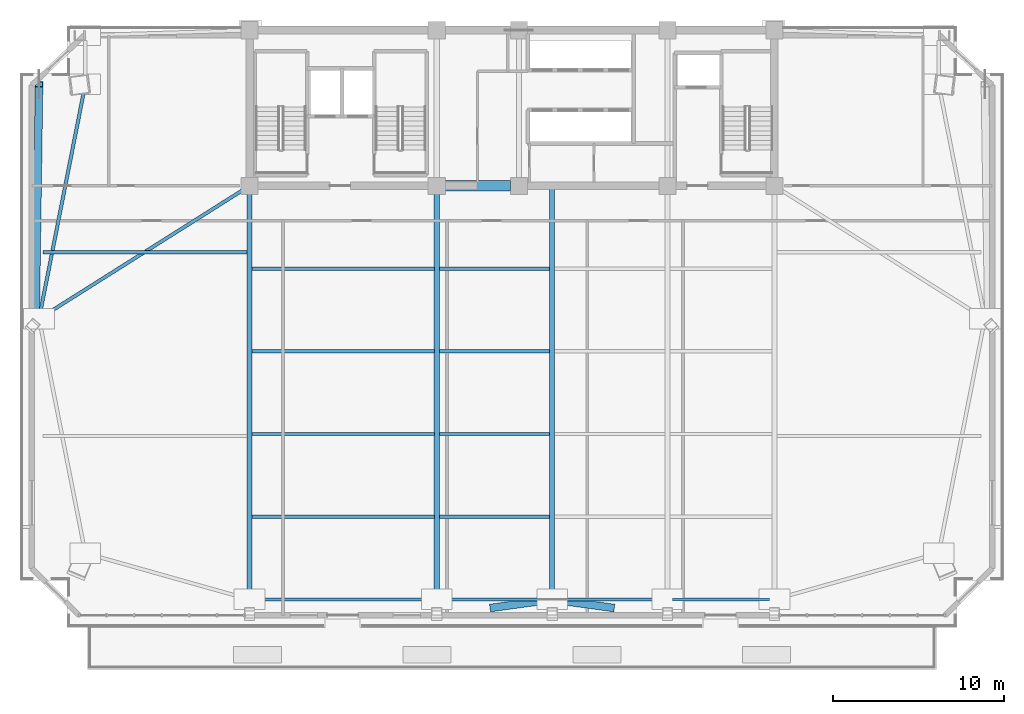
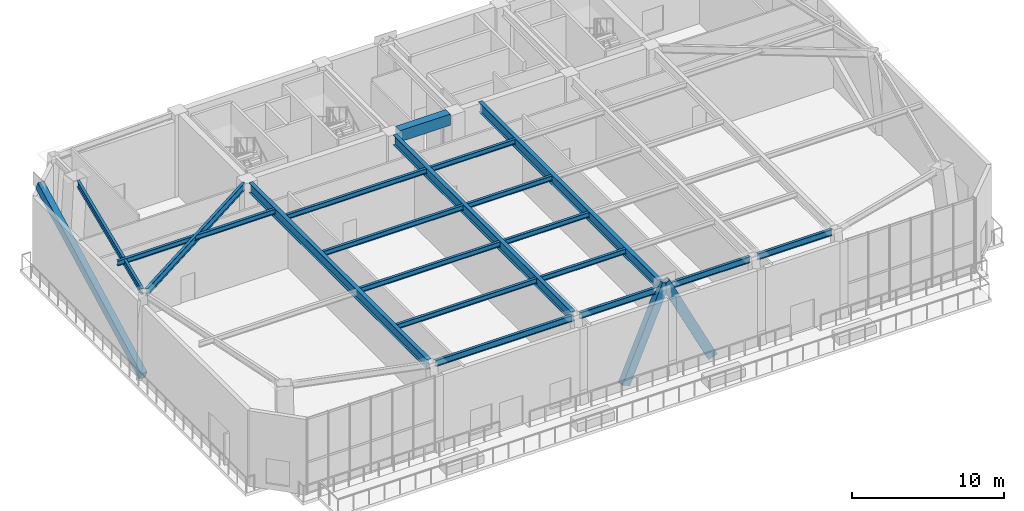
# One storey, part 3 of 16: 19 beams, 3 members.
"""IFC4 building model written with IfcOpenShell, lengths in metres."""

import ifcopenshell
import ifcopenshell.guid

model = None  # the IFC model being written
_history = None  # IfcOwnerHistory: only IFC2X3 demands one
_inside = {}  # id of a spatial element -> (the spatial element, [elements in it])
_under = {}  # id of a project, library or spatial element -> (it, [spatial elements below it])
_declared = {}  # id of a project -> (the project, [libraries it declares])
_typed = {}  # id of a type object -> (the type object, [elements of that type])
_made_of = {}  # id of a material, layer set ... -> (it, [elements and type objects made of it])


def new_model(schema):
    """Start an empty IFC model of exactly this schema.

    Asked for "IFC4X3", IfcOpenShell would pick the latest addendum, in which some entities
    have other attributes; the version numbers below select the first issue.
    IFC2X3 requires an IfcOwnerHistory on every rooted entity: one is made here for all.
    """
    global model, _history
    if schema == "IFC4X3":
        model = ifcopenshell.file(schema_version=(4, 3, 0, 0))
    else:
        model = ifcopenshell.file(schema=schema)
    _inside.clear()
    _under.clear()
    _declared.clear()
    _typed.clear()
    _made_of.clear()
    _history = None
    if model.schema == "IFC2X3":
        org = make("IfcOrganization", Name="unknown")
        user = make(
            "IfcPersonAndOrganization",
            ThePerson=make("IfcPerson", FamilyName="unknown"),
            TheOrganization=org,
        )
        app = make(
            "IfcApplication",
            ApplicationDeveloper=org,
            Version="unknown",
            ApplicationFullName="unknown",
            ApplicationIdentifier="unknown",
        )
        _history = make(
            "IfcOwnerHistory",
            OwningUser=user,
            OwningApplication=app,
            ChangeAction="ADDED",
            CreationDate=0,
        )
    return model


def make(cls, **values):
    """One entity of the class cls with the attributes given. An attribute that is None is left unset."""
    return model.create_entity(
        cls, **{name: value for name, value in values.items() if value is not None}
    )


def rooted(cls, **values):
    """An entity with a GlobalId (a new one), such as an element, a storey or a relation."""
    return make(cls, GlobalId=ifcopenshell.guid.new(), OwnerHistory=_history, **values)


def si_unit(unit_type, name, prefix=None):
    """IfcSIUnit, for example si_unit("LENGTHUNIT", "METRE", prefix="MILLI")."""
    return make("IfcSIUnit", UnitType=unit_type, Prefix=prefix, Name=name)


def assignment(units):
    """IfcUnitAssignment: the units of a project."""
    return None if units is None else make("IfcUnitAssignment", Units=units)


def point(xyz):
    """IfcCartesianPoint."""
    return None if xyz is None else make("IfcCartesianPoint", Coordinates=xyz)


def direction(xyz):
    """IfcDirection."""
    return None if xyz is None else make("IfcDirection", DirectionRatios=xyz)


def frame(location, z_axis=None, x_axis=None):
    """IfcAxis2Placement3D, a coordinate frame: its origin and axes. An axis left out is left unset."""
    return make(
        "IfcAxis2Placement3D",
        Location=point(location),
        Axis=direction(z_axis),
        RefDirection=direction(x_axis),
    )


def frame_2d(location, x_axis=None):
    """IfcAxis2Placement2D, a coordinate frame in the plane: its origin and x axis."""
    return make(
        "IfcAxis2Placement2D", Location=point(location), RefDirection=direction(x_axis)
    )


def origin():
    """The frame at (0, 0, 0) with its axes left unset."""
    return frame((0.0, 0.0, 0.0))


def origin_2d():
    """The frame at (0, 0) in the plane with its x axis left unset."""
    return frame_2d((0.0, 0.0))


def place(relative_to, where):
    """IfcLocalPlacement: puts the frame where relative to a parent placement (None: the world)."""
    return make(
        "IfcLocalPlacement", PlacementRelTo=relative_to, RelativePlacement=where
    )


def context(
    kind, dimensions, precision=None, world=None, true_north=None, identifier=None
):
    """IfcGeometricRepresentationContext, for example the 3D "Model" context."""
    return make(
        "IfcGeometricRepresentationContext",
        ContextIdentifier=identifier,
        ContextType=kind,
        CoordinateSpaceDimension=dimensions,
        Precision=precision,
        WorldCoordinateSystem=world,
        TrueNorth=true_north,
    )


def subcontext(parent, identifier, kind, view, scale=None):
    """IfcGeometricRepresentationSubContext, for example "Body" below "Model"."""
    return make(
        "IfcGeometricRepresentationSubContext",
        ContextIdentifier=identifier,
        ContextType=kind,
        ParentContext=parent,
        TargetScale=scale,
        TargetView=view,
    )


def project(units=None, contexts=None):
    """IfcProject with its units and contexts."""
    return rooted(
        "IfcProject",
        Name="project",
        RepresentationContexts=contexts,
        UnitsInContext=assignment(units),
    )


def spatial(cls, under=None, at=None, **own):
    """A site, building, storey or space (cls), placed at a placement, below another one or the project."""
    s = rooted(cls, ObjectPlacement=at, **own)
    if under is not None:
        _under.setdefault(under.id(), (under, []))[1].append(s)
    return s


def profile(cls, at=None, kind="AREA", **sizes):
    """A parametric profile (cls). Its sizes go by their IFC names, for example OverallWidth=200.0."""
    return make(cls, ProfileType=kind, Position=at, **sizes)


def rectangle(**sizes):
    """IfcRectangleProfileDef."""
    return profile("IfcRectangleProfileDef", **sizes)


def hollow_rectangle(**sizes):
    """IfcRectangleHollowProfileDef."""
    return profile("IfcRectangleHollowProfileDef", **sizes)


def i_section(**sizes):
    """IfcIShapeProfileDef."""
    return profile("IfcIShapeProfileDef", **sizes)


def extrude(swept, where, along, depth):
    """IfcExtrudedAreaSolid: the profile swept, set in the frame where, extruded along a direction by depth."""
    return make(
        "IfcExtrudedAreaSolid",
        SweptArea=swept,
        Position=where,
        ExtrudedDirection=direction(along),
        Depth=depth,
    )


def shape(context_of_items, identifier, shape_type, items):
    """IfcShapeRepresentation: the items that make up one representation, for example the "Body"."""
    return make(
        "IfcShapeRepresentation",
        ContextOfItems=context_of_items,
        RepresentationIdentifier=identifier,
        RepresentationType=shape_type,
        Items=items,
    )


def source(mapping_origin, context_of_items, identifier, shape_type, items):
    """IfcRepresentationMap: a shape defined once, which mapped items show again and again."""
    return make(
        "IfcRepresentationMap",
        MappingOrigin=mapping_origin,
        MappedRepresentation=shape(context_of_items, identifier, shape_type, items),
    )


def transform(
    local_origin,
    x_axis=None,
    y_axis=None,
    z_axis=None,
    scale=None,
    scale2=None,
    scale3=None,
    uniform=True,
):
    """IfcCartesianTransformationOperator3D, or its non-uniform kind. x_axis, y_axis, z_axis: its Axis1, 2, 3."""
    if uniform:
        return make(
            "IfcCartesianTransformationOperator3D",
            Axis1=direction(x_axis),
            Axis2=direction(y_axis),
            LocalOrigin=point(local_origin),
            Scale=scale,
            Axis3=direction(z_axis),
        )
    return make(
        "IfcCartesianTransformationOperator3DnonUniform",
        Axis1=direction(x_axis),
        Axis2=direction(y_axis),
        LocalOrigin=point(local_origin),
        Scale=scale,
        Axis3=direction(z_axis),
        Scale2=scale2,
        Scale3=scale3,
    )


def mapped(mapping_source, mapping_target):
    """IfcMappedItem: shows the shape of a source again, moved by a transform."""
    return make(
        "IfcMappedItem", MappingSource=mapping_source, MappingTarget=mapping_target
    )


def material(Name=None, Category=None):
    """IfcMaterial."""
    return make("IfcMaterial", Name=Name, Category=Category)


def material_profile(
    of_material, cross_section, Name=None, Category=None, Priority=None
):
    """IfcMaterialProfile: a cross section and its material."""
    return make(
        "IfcMaterialProfile",
        Name=Name,
        Material=of_material,
        Profile=cross_section,
        Priority=Priority,
        Category=Category,
    )


def profile_set(profiles, Name=None, composite=None):
    """IfcMaterialProfileSet."""
    return make(
        "IfcMaterialProfileSet",
        Name=Name,
        MaterialProfiles=profiles,
        CompositeProfile=composite,
    )


def made_of(thing, what):
    """Note that an element or type object is made of a material, layer set ...; save() writes the relation."""
    if what is not None:
        _made_of.setdefault(what.id(), (what, []))[1].append(thing)
    return thing


def type_object(cls, material=None, **own):
    """A type object (cls), such as IfcWallType, which elements share."""
    return made_of(rooted(cls, **own), material)


def element(
    cls,
    number,
    at=None,
    inside=None,
    cuts=None,
    type_object=None,
    material=None,
    context=None,
    identifier="Body",
    shape_type=None,
    held_by="IfcProductDefinitionShape",
    body=None,
    shapes=None,
    **own,
):
    """One element of the class cls, such as IfcWall. Its Tag is "e" and its number.

    at: its placement. inside: the storey or other place that contains it. cuts: it is an
    opening in that element (IfcRelVoidsElement). A single representation is given by context,
    identifier, shape_type and body (its items); several are given by shapes. held_by: the class
    of the entity that holds the representations. save() writes the other relations.
    """
    e = rooted(cls, Tag="e%d" % number, ObjectPlacement=at, **own)
    if body is not None:
        shapes = [shape(context, identifier, shape_type, body)]
    if shapes is not None:
        e.Representation = make(held_by, Representations=shapes)
    if inside is not None:
        _inside.setdefault(inside.id(), (inside, []))[1].append(e)
    if cuts is not None:
        rooted(
            "IfcRelVoidsElement", RelatingBuildingElement=cuts, RelatedOpeningElement=e
        )
    if type_object is not None:
        _typed.setdefault(type_object.id(), (type_object, []))[1].append(e)
    return made_of(e, material)


def aggregate(whole, parts):
    """IfcRelAggregates: a whole, such as a stair, and the parts it consists of."""
    return rooted("IfcRelAggregates", RelatingObject=whole, RelatedObjects=parts)


def save(model, path):
    """Write the relations noted so far, then the file.

    IfcRelAggregates (storeys below a building ...), IfcRelContainedInSpatialStructure (elements
    in a storey), IfcRelDefinesByType, IfcRelAssociatesMaterial and IfcRelDeclares: one each for
    every whole, place, type object, material and project.
    """
    for whole, parts in _under.values():
        aggregate(whole, parts)
    for where, things in _inside.values():
        rooted(
            "IfcRelContainedInSpatialStructure",
            RelatedElements=things,
            RelatingStructure=where,
        )
    for kind, things in _typed.values():
        rooted("IfcRelDefinesByType", RelatedObjects=things, RelatingType=kind)
    for what, things in _made_of.values():
        rooted("IfcRelAssociatesMaterial", RelatedObjects=things, RelatingMaterial=what)
    for by, libraries in _declared.values():
        rooted("IfcRelDeclares", RelatingContext=by, RelatedDefinitions=libraries)
    model.write(path)


model = new_model("IFC4")

# Units and contexts
model_context = context("Model", 3, precision=1e-05, world=origin(), true_north=direction((0.0, 1.0)))
body_context = subcontext(model_context, "Body", "Model", "MODEL_VIEW")
ifc_project = project(units=[si_unit("LENGTHUNIT", "METRE"), si_unit("AREAUNIT", "SQUARE_METRE"), si_unit("VOLUMEUNIT", "CUBIC_METRE"), si_unit("PLANEANGLEUNIT", "RADIAN"), si_unit("MASSUNIT", "GRAM", prefix="KILO")], contexts=[model_context])

# Site, building, storey
site_placement = place(None, origin())
site = spatial("IfcSite", under=ifc_project, at=site_placement, CompositionType="ELEMENT")
building_placement = place(site_placement, origin())
building = spatial("IfcBuilding", under=site, at=building_placement, Name="Giltprow Tower", CompositionType="ELEMENT")
storey_placement = place(building_placement, frame((0.0, 0.0, 220.199951171875)))
storey = spatial("IfcBuildingStorey", under=building, at=storey_placement, Name="L56", CompositionType="ELEMENT", Elevation=220.199951171875)

# Beams
ifc_material_1 = material(Name="Structural steel Q355B", Category="steel")
ifc_material_profile_1 = material_profile(ifc_material_1, i_section(OverallWidth=0.199951171875, OverallDepth=0.5, WebThickness=0.010009765625, FlangeThickness=0.01611328125, at=origin_2d()), Name="HN 500x200x10x16")
ifc_profile_set_1 = profile_set([ifc_material_profile_1], Name="Structural steel Q355B")
beam_type_1 = type_object("IfcBeamType", Name="BM-SPAN-HN500", PredefinedType="SPANDREL", material=ifc_profile_set_1)
shared_shape_1 = source(origin(), body_context, "Body", "SweptSolid", [
    extrude(i_section(OverallWidth=0.199951171875, OverallDepth=0.5, WebThickness=0.010009765625, FlangeThickness=0.01611328125, at=origin_2d()), origin(), (0.0, 0.0, 1.0), 5.679931640625),
])
beam_1_placement = place(storey_placement, frame((44.5849609375, 13.25, 6.3349609375), z_axis=(1.0, 0.0, 0.0), x_axis=(0.0, 1.0, 0.0)))
element("IfcBeam", 1, at=beam_1_placement, inside=storey, type_object=beam_type_1, Name="L56 Perimeter Spandrel Beam S3-S4", PredefinedType="SPANDREL", context=body_context, shape_type="MappedRepresentation", body=[
    mapped(shared_shape_1, transform((0.0, 0.0, 0.0), x_axis=(1.0, 0.0, 0.0), y_axis=(0.0, 1.0, 0.0), z_axis=(0.0, 0.0, 1.0), scale=1.0)),
])
ifc_material_2 = material(Name="Concrete C50", Category="concrete")
ifc_material_profile_2 = material_profile(ifc_material_2, rectangle(XDim=0.60009765625, YDim=0.89990234375, at=origin_2d()), Name="RC 900x600")
ifc_profile_set_2 = profile_set([ifc_material_profile_2], Name="Concrete C50")
beam_type_2 = type_object("IfcBeamType", Name="BM-CPL-RC900", PredefinedType="LINTEL", material=ifc_profile_set_2)
shared_shape_2 = source(origin(), body_context, "Body", "SweptSolid", [
    extrude(rectangle(XDim=0.60009765625, YDim=0.89990234375, at=origin_2d()), origin(), (0.0, 0.0, 1.0), 3.830078125),
])
beam_2_placement = place(storey_placement, frame((31.284912109375, 37.449951171875, 6.135009765625), z_axis=(1.0, 0.0, 0.0), x_axis=(0.0, 1.0, 0.0)))
element("IfcBeam", 2, at=beam_2_placement, inside=storey, type_object=beam_type_2, Name="L56 Core Coupling Beam CB-1", PredefinedType="LINTEL", context=body_context, shape_type="MappedRepresentation", body=[
    mapped(shared_shape_2, transform((0.0, 0.0, 0.0), x_axis=(1.0, 0.0, 0.0), y_axis=(0.0, 1.0, 0.0), z_axis=(0.0, 0.0, 1.0), scale=1.0)),
])
shared_shape_3 = source(origin(), body_context, "Body", "SweptSolid", [
    extrude(i_section(OverallWidth=0.199951171875, OverallDepth=0.5, WebThickness=0.010009765625, FlangeThickness=0.01611328125, at=origin_2d()), origin(), (0.0, 0.0, 1.0), 10.3798828125),
])
beam_3_placement = place(storey_placement, frame((20.135009765625, 13.25, 6.3349609375), z_axis=(1.0, 0.0, 0.0), x_axis=(0.0, 1.0, 0.0)))
element("IfcBeam", 3, at=beam_3_placement, inside=storey, type_object=beam_type_1, Name="L56 Perimeter Spandrel Beam S1-S2", PredefinedType="SPANDREL", context=body_context, shape_type="MappedRepresentation", body=[
    mapped(shared_shape_3, transform((0.0, 0.0, 0.0), x_axis=(1.0, 0.0, 0.0), y_axis=(0.0, 1.0, 0.0), z_axis=(0.0, 0.0, 1.0), scale=1.0)),
])
shared_shape_4 = source(origin(), body_context, "Body", "SweptSolid", [
    extrude(i_section(OverallWidth=0.199951171875, OverallDepth=0.5, WebThickness=0.010009765625, FlangeThickness=0.01611328125, at=origin_2d()), origin(), (0.0, 0.0, 1.0), 6.179931640625),
])
for number, where, z_axis, x_axis, name in (
    (4, (31.0849609375, 13.25, 6.3349609375), (1.0, 0.0, 0.0), (0.0, 1.0, 0.0), "L56 Perimeter Spandrel Beam S2-S_MID"),
    (5, (37.8349609375, 13.25, 6.3349609375), (1.0, 0.0, 0.0), (0.0, 1.0, 0.0), "L56 Perimeter Spandrel Beam S_MID-S3"),
):
    element("IfcBeam", number, at=place(storey_placement, frame(where, z_axis=z_axis, x_axis=x_axis)), inside=storey, type_object=beam_type_1, Name=name, PredefinedType="SPANDREL", context=body_context, shape_type="MappedRepresentation", body=[
        mapped(shared_shape_4, transform((0.0, 0.0, 0.0), x_axis=(1.0, 0.0, 0.0), y_axis=(0.0, 1.0, 0.0), z_axis=(0.0, 0.0, 1.0), scale=1.0)),
    ])
ifc_material_profile_3 = material_profile(ifc_material_1, i_section(OverallWidth=0.199951171875, OverallDepth=0.39990234375, WebThickness=0.008056640625, FlangeThickness=0.012939453125, at=origin_2d()), Name="HN 400x200x8x13")
ifc_profile_set_3 = profile_set([ifc_material_profile_3], Name="Structural steel Q355B")
beam_type_3 = type_object("IfcBeamType", Name="BM-JOIST-HN400", PredefinedType="JOIST", material=ifc_profile_set_3)
shared_shape_5 = source(origin(), body_context, "Body", "SweptSolid", [
    extrude(i_section(OverallWidth=0.199951171875, OverallDepth=0.39990234375, WebThickness=0.008056640625, FlangeThickness=0.012939453125, at=origin_2d()), origin(), (0.0, 0.0, 1.0), 10.659912109375),
])
for number, where, z_axis, x_axis, name in (
    (6, (19.9951171875, 18.090087890625, 6.385009765625), (1.0, 0.0, 0.0), (0.0, 1.0, 0.0), "L56 Composite Floor Joist 1-1"),
    (7, (19.9951171875, 22.929931640625, 6.385009765625), (1.0, 0.0, 0.0), (0.0, 1.0, 0.0), "L56 Composite Floor Joist 2-1"),
    (8, (19.9951171875, 27.77001953125, 6.385009765625), (1.0, 0.0, 0.0), (0.0, 1.0, 0.0), "L56 Composite Floor Joist 3-1"),
    (9, (19.9951171875, 32.610107421875, 6.385009765625), (1.0, 0.0, 0.0), (0.0, 1.0, 0.0), "L56 Composite Floor Joist 4-1"),
):
    element("IfcBeam", number, at=place(storey_placement, frame(where, z_axis=z_axis, x_axis=x_axis)), inside=storey, type_object=beam_type_3, Name=name, PredefinedType="JOIST", context=body_context, shape_type="MappedRepresentation", body=[
        mapped(shared_shape_5, transform((0.0, 0.0, 0.0), x_axis=(1.0, 0.0, 0.0), y_axis=(0.0, 1.0, 0.0), z_axis=(0.0, 0.0, 1.0), scale=1.0)),
    ])
shared_shape_6 = source(origin(), body_context, "Body", "SweptSolid", [
    extrude(i_section(OverallWidth=0.199951171875, OverallDepth=0.39990234375, WebThickness=0.008056640625, FlangeThickness=0.012939453125, at=origin_2d()), origin(), (0.0, 0.0, 1.0), 6.4599609375),
])
for number, where, z_axis, x_axis, name in (
    (10, (30.945068359375, 18.090087890625, 6.385009765625), (1.0, 0.0, 0.0), (0.0, 1.0, 0.0), "L56 Composite Floor Joist 1-2"),
    (11, (30.945068359375, 22.929931640625, 6.385009765625), (1.0, 0.0, 0.0), (0.0, 1.0, 0.0), "L56 Composite Floor Joist 2-2"),
    (12, (30.945068359375, 27.77001953125, 6.385009765625), (1.0, 0.0, 0.0), (0.0, 1.0, 0.0), "L56 Composite Floor Joist 3-2"),
    (13, (30.945068359375, 32.610107421875, 6.385009765625), (1.0, 0.0, 0.0), (0.0, 1.0, 0.0), "L56 Composite Floor Joist 4-2"),
):
    element("IfcBeam", number, at=place(storey_placement, frame(where, z_axis=z_axis, x_axis=x_axis)), inside=storey, type_object=beam_type_3, Name=name, PredefinedType="JOIST", context=body_context, shape_type="MappedRepresentation", body=[
        mapped(shared_shape_6, transform((0.0, 0.0, 0.0), x_axis=(1.0, 0.0, 0.0), y_axis=(0.0, 1.0, 0.0), z_axis=(0.0, 0.0, 1.0), scale=1.0)),
    ])
shared_shape_7 = source(origin(), body_context, "Body", "SweptSolid", [
    extrude(i_section(OverallWidth=0.199951171875, OverallDepth=0.5, WebThickness=0.010009765625, FlangeThickness=0.01611328125, at=origin_2d()), origin(), (0.0, 0.0, 1.0), 13.161865234375),
])
beam_4_placement = place(storey_placement, frame((10.135986328125, 42.867919921875, 6.3349609375), z_axis=(-0.193597089577, -0.981081121471, 0.0), x_axis=(0.981081121471, -0.193597089577, 0.0)))
element("IfcBeam", 14, at=beam_4_placement, inside=storey, type_object=beam_type_1, Name="L56 Perimeter Spandrel Beam MC_NW-W_MID", PredefinedType="SPANDREL", context=body_context, shape_type="MappedRepresentation", body=[
    mapped(shared_shape_7, transform((0.0, 0.0, 0.0), x_axis=(1.0, 0.0, 0.0), y_axis=(0.0, 1.0, 0.0), z_axis=(0.0, 0.0, 1.0), scale=1.0)),
])
ifc_material_profile_4 = material_profile(ifc_material_1, i_section(OverallWidth=0.300048828125, OverallDepth=0.800048828125, WebThickness=0.013916015625, FlangeThickness=0.02587890625, at=origin_2d()), Name="HN 800x300x14x26")
ifc_profile_set_4 = profile_set([ifc_material_profile_4], Name="Structural steel Q355B")
beam_type_4 = type_object("IfcBeamType", Name="BM-GIRD-HN800", PredefinedType="BEAM", material=ifc_profile_set_4)
shared_shape_8 = source(origin(), body_context, "Body", "SweptSolid", [
    extrude(i_section(OverallWidth=0.300048828125, OverallDepth=0.800048828125, WebThickness=0.013916015625, FlangeThickness=0.02587890625, at=origin_2d()), origin(), (0.0, 0.0, 1.0), 23.43017578125),
])
for number, where, z_axis, x_axis, name in (
    (15, (19.85009765625, 13.534912109375, 6.18505859375), (0.0, 1.0, 0.0), (-1.0, 0.0, 0.0), "L56 Primary Lease Girder S1"),
    (16, (30.800048828125, 13.534912109375, 6.18505859375), (0.0, 1.0, 0.0), (-1.0, 0.0, 0.0), "L56 Primary Lease Girder S2"),
):
    element("IfcBeam", number, at=place(storey_placement, frame(where, z_axis=z_axis, x_axis=x_axis)), inside=storey, type_object=beam_type_4, Name=name, PredefinedType="BEAM", context=body_context, shape_type="MappedRepresentation", body=[
        mapped(shared_shape_8, transform((0.0, 0.0, 0.0), x_axis=(1.0, 0.0, 0.0), y_axis=(0.0, 1.0, 0.0), z_axis=(0.0, 0.0, 1.0), scale=1.0)),
    ])
shared_shape_9 = source(origin(), body_context, "Body", "SweptSolid", [
    extrude(i_section(OverallWidth=0.300048828125, OverallDepth=0.800048828125, WebThickness=0.013916015625, FlangeThickness=0.02587890625, at=origin_2d()), origin(), (0.0, 0.0, 1.0), 24.199951171875),
])
beam_5_placement = place(storey_placement, frame((37.550048828125, 13.25, 6.18505859375), z_axis=(0.0, 1.0, 0.0), x_axis=(-1.0, 0.0, 0.0)))
element("IfcBeam", 17, at=beam_5_placement, inside=storey, type_object=beam_type_4, Name="L56 Central Lease Girder SMID", PredefinedType="BEAM", context=body_context, shape_type="MappedRepresentation", body=[
    mapped(shared_shape_9, transform((0.0, 0.0, 0.0), x_axis=(1.0, 0.0, 0.0), y_axis=(0.0, 1.0, 0.0), z_axis=(0.0, 0.0, 1.0), scale=1.0)),
])
ifc_material_profile_5 = material_profile(ifc_material_1, i_section(OverallWidth=0.199951171875, OverallDepth=0.60009765625, WebThickness=0.010986328125, FlangeThickness=0.01708984375, at=origin_2d()), Name="HN 600x200x11x17")
ifc_profile_set_5 = profile_set([ifc_material_profile_5], Name="Structural steel Q355B")
beam_type_5 = type_object("IfcBeamType", Name="BM-GIRD-HN600", PredefinedType="BEAM", material=ifc_profile_set_5)
shared_shape_10 = source(origin(), body_context, "Body", "SweptSolid", [
    extrude(i_section(OverallWidth=0.199951171875, OverallDepth=0.60009765625, WebThickness=0.010986328125, FlangeThickness=0.01708984375, at=origin_2d()), origin(), (0.0, 0.0, 1.0), 13.7958984375),
])
beam_6_placement = place(storey_placement, frame((7.77392578125, 29.826904296875, 6.28515625), z_axis=(0.845619658124, 0.533785906328, 0.0), x_axis=(-0.533785906328, 0.845619658124, 0.0)))
element("IfcBeam", 18, at=beam_6_placement, inside=storey, type_object=beam_type_5, Name="L56 West Wing Primary Girder", PredefinedType="BEAM", context=body_context, shape_type="MappedRepresentation", body=[
    mapped(shared_shape_10, transform((0.0, 0.0, 0.0), x_axis=(1.0, 0.0, 0.0), y_axis=(0.0, 1.0, 0.0), z_axis=(0.0, 0.0, 1.0), scale=1.0)),
])
shared_shape_11 = source(origin(), body_context, "Body", "SweptSolid", [
    extrude(i_section(OverallWidth=0.199951171875, OverallDepth=0.39990234375, WebThickness=0.008056640625, FlangeThickness=0.012939453125, at=origin_2d()), origin(), (0.0, 0.0, 1.0), 11.9521484375),
])
beam_7_placement = place(storey_placement, frame((7.7529296875, 33.56201171875, 6.385009765625), z_axis=(1.0, 0.0, 0.0), x_axis=(0.0, 1.0, 0.0)))
element("IfcBeam", 19, at=beam_7_placement, inside=storey, type_object=beam_type_3, Name="L56 West Wing Floor Joist 2", PredefinedType="JOIST", context=body_context, shape_type="MappedRepresentation", body=[
    mapped(shared_shape_11, transform((0.0, 0.0, 0.0), x_axis=(1.0, 0.0, 0.0), y_axis=(0.0, 1.0, 0.0), z_axis=(0.0, 0.0, 1.0), scale=1.0)),
])

# Members
ifc_material_3 = material(Name="Structural steel Q420GJC", Category="steel")
ifc_material_profile_6 = material_profile(ifc_material_3, hollow_rectangle(XDim=0.449951171875, YDim=0.699951171875, WallThickness=0.031982421875, at=origin_2d()), Name="RHS 700x450x32")
ifc_profile_set_6 = profile_set([ifc_material_profile_6], Name="Structural steel Q420GJC")
member_type = type_object("IfcMemberType", Name="MBR-MEGA-RHS700", PredefinedType="BRACE", material=ifc_profile_set_6)
shared_shape_12 = source(origin(), body_context, "Body", "SweptSolid", [
    extrude(hollow_rectangle(XDim=0.449951171875, YDim=0.699951171875, WallThickness=0.031982421875, at=origin_2d()), origin(), (0.0, 0.0, 1.0), 7.583740234375),
])
for number, where, z_axis, x_axis, name in (
    (20, (34.22412109375, 12.791015625, 0.0), (0.438560306699, 0.060522159333, 0.89666154463), (-0.136706294688, 0.990611623691, 0.0), "L56 Chevron Mega-Brace S-L"),
    (21, (40.8759765625, 12.791015625, 0.0), (-0.438560306699, 0.060522159333, 0.89666154463), (-0.136706294688, -0.990611623691, 0.0), "L56 Chevron Mega-Brace S-R"),
):
    element("IfcMember", number, at=place(storey_placement, frame(where, z_axis=z_axis, x_axis=x_axis)), inside=storey, type_object=member_type, Name=name, PredefinedType="BRACE", context=body_context, shape_type="MappedRepresentation", body=[
        mapped(shared_shape_12, transform((0.0, 0.0, 0.0), x_axis=(1.0, 0.0, 0.0), y_axis=(0.0, 1.0, 0.0), z_axis=(0.0, 0.0, 1.0), scale=1.0)),
    ])
shared_shape_13 = source(origin(), body_context, "Body", "SweptSolid", [
    extrude(hollow_rectangle(XDim=0.449951171875, YDim=0.699951171875, WallThickness=0.031982421875, at=origin_2d()), origin(), (0.0, 0.0, 1.0), 15.525146484375),
])
member_placement = place(storey_placement, frame((7.3291015625, 29.43798828125, 0.0), z_axis=(0.013130890985, 0.898876321831, 0.438005636668), x_axis=(-0.999893318524, 0.014606559149, 0.0)))
element("IfcMember", 22, at=member_placement, inside=storey, type_object=member_type, Name="L56 Chevron Mega-Brace W-D", PredefinedType="BRACE", context=body_context, shape_type="MappedRepresentation", body=[
    mapped(shared_shape_13, transform((0.0, 0.0, 0.0), x_axis=(1.0, 0.0, 0.0), y_axis=(0.0, 1.0, 0.0), z_axis=(0.0, 0.0, 1.0), scale=1.0)),
])

save(model, "model.ifc")
